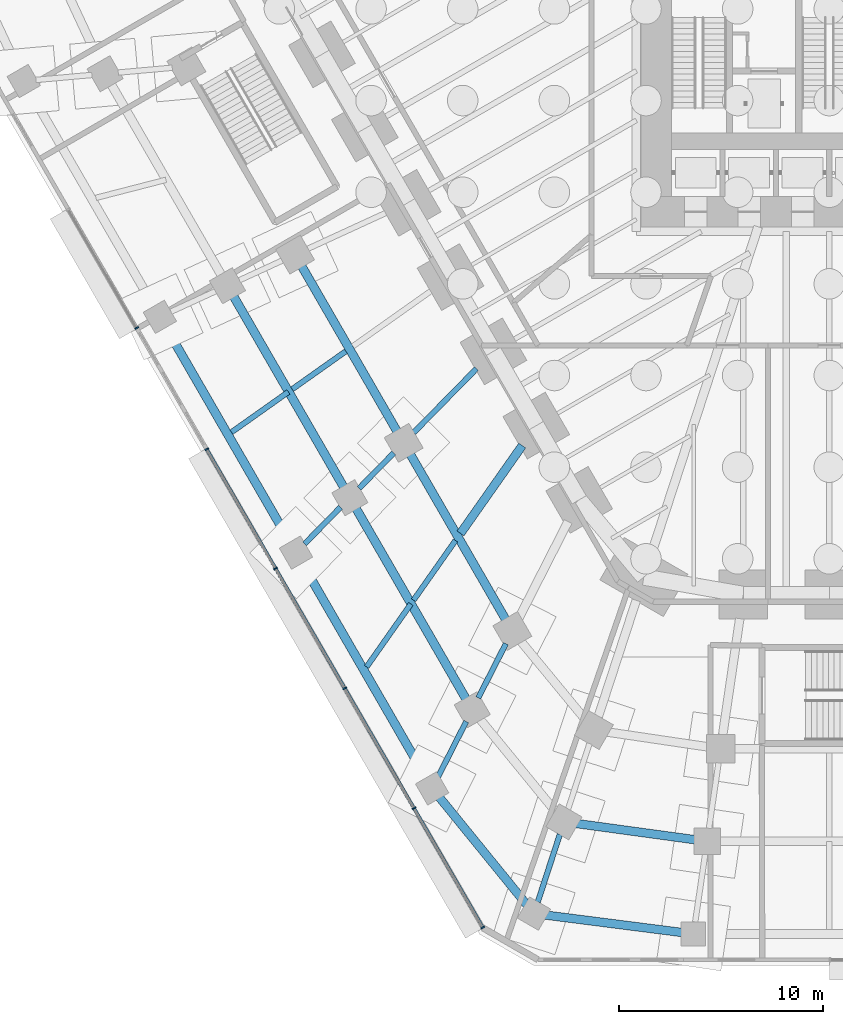
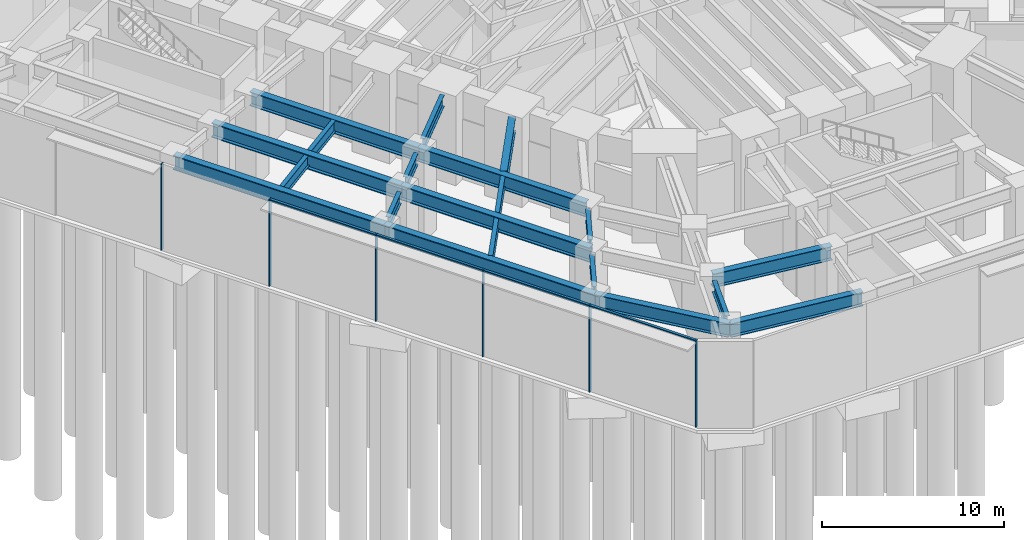
# One storey, part 3 of 34: 20 beams, 10 members, 2 elements without a shape of their own.
"""IFC4 building model written with IfcOpenShell, lengths in metres."""

from ifc_helpers import new_model, si_unit, direction, frame, origin, origin_2d, place, context, subcontext, project, spatial, rectangle, i_section, extrude, material, material_profile, profile_set, type_object, element, aggregate, save


model = new_model("IFC4")

# Units and contexts
model_context = context("Model", 3, precision=1e-05, world=origin(), true_north=direction((0.0, 1.0)))
body_context = subcontext(model_context, "Body", "Model", "MODEL_VIEW")
ifc_project = project(units=[si_unit("LENGTHUNIT", "METRE"), si_unit("AREAUNIT", "SQUARE_METRE"), si_unit("VOLUMEUNIT", "CUBIC_METRE"), si_unit("PLANEANGLEUNIT", "RADIAN"), si_unit("MASSUNIT", "GRAM", prefix="KILO")], contexts=[model_context])

# Site, building, storey
site_placement = place(None, origin())
site = spatial("IfcSite", under=ifc_project, at=site_placement, CompositionType="ELEMENT")
building_placement = place(site_placement, origin())
building = spatial("IfcBuilding", under=site, at=building_placement, Name="Sandreach Pilgrim Tower", CompositionType="ELEMENT")
storey_placement = place(building_placement, origin())
storey = spatial("IfcBuildingStorey", under=building, at=storey_placement, Name="L00", CompositionType="ELEMENT", Elevation=0.0)

# Curtain wall, members
ifc_material_1 = material(Name="Aluminium framed curtain wall", Category="aluminium")
curtain_wall_type = type_object("IfcCurtainWallType", Name="Podium storefront curtain wall", PredefinedType="NOTDEFINED", material=ifc_material_1)
curtain_wall_1_placement = place(storey_placement, origin())
curtain_wall_1 = element("IfcCurtainWall", 1, at=curtain_wall_1_placement, inside=storey, type_object=curtain_wall_type, Name="CW-P L00 SWA", PredefinedType="NOTDEFINED")
ifc_material_2 = material(Name="Aluminium extrusion", Category="aluminium")
ifc_material_profile_1 = material_profile(ifc_material_2, rectangle(XDim=0.070068359375, YDim=0.199951171875, at=origin_2d()), Name="CW-PM 70X200")
ifc_profile_set_1 = profile_set([ifc_material_profile_1], Name="Aluminium extrusion")
member_type_1 = type_object("IfcMemberType", Name="CW-P mullion", PredefinedType="MULLION", material=ifc_profile_set_1)
member_1_placement = place(storey_placement, frame((-17.01416015625, -45.1015625, 0.0), z_axis=(0.0, 0.0, 1.0), x_axis=(-0.5, 0.866025403784, 0.0)))
member_1 = element("IfcMember", 2, at=member_1_placement, type_object=member_type_1, Name="CW-P mullion 1", PredefinedType="MULLION", context=body_context, shape_type="SweptSolid", body=[
    extrude(rectangle(XDim=0.070068359375, YDim=0.199951171875, at=origin_2d()), origin(), (0.0, 0.0, 1.0), 5.840087890625),
])
member_2_placement = place(storey_placement, frame((-20.395263671875, -39.245361328125, 0.0), z_axis=(0.0, 0.0, 1.0), x_axis=(-0.5, 0.866025403784, 0.0)))
member_2 = element("IfcMember", 3, at=member_2_placement, type_object=member_type_1, Name="CW-P mullion 2", PredefinedType="MULLION", context=body_context, shape_type="SweptSolid", body=[
    extrude(rectangle(XDim=0.070068359375, YDim=0.199951171875, at=origin_2d()), origin(), (0.0, 0.0, 1.0), 5.840087890625),
])
member_3_placement = place(storey_placement, frame((-23.793701171875, -33.35888671875, 0.0), z_axis=(0.0, 0.0, 1.0), x_axis=(-0.5, 0.866025403784, 0.0)))
member_3 = element("IfcMember", 4, at=member_3_placement, type_object=member_type_1, Name="CW-P mullion 3", PredefinedType="MULLION", context=body_context, shape_type="SweptSolid", body=[
    extrude(rectangle(XDim=0.070068359375, YDim=0.199951171875, at=origin_2d()), origin(), (0.0, 0.0, 1.0), 5.840087890625),
])
member_4_placement = place(storey_placement, frame((-27.1923828125, -27.472412109375, 0.0), z_axis=(0.0, 0.0, 1.0), x_axis=(-0.5, 0.866025403784, 0.0)))
member_4 = element("IfcMember", 5, at=member_4_placement, type_object=member_type_1, Name="CW-P mullion 4", PredefinedType="MULLION", context=body_context, shape_type="SweptSolid", body=[
    extrude(rectangle(XDim=0.070068359375, YDim=0.199951171875, at=origin_2d()), origin(), (0.0, 0.0, 1.0), 5.840087890625),
])
member_5_placement = place(storey_placement, frame((-30.573486328125, -21.6162109375, 0.0), z_axis=(0.0, 0.0, 1.0), x_axis=(-0.5, 0.866025403784, 0.0)))
member_5 = element("IfcMember", 6, at=member_5_placement, type_object=member_type_1, Name="CW-P mullion 5", PredefinedType="MULLION", context=body_context, shape_type="SweptSolid", body=[
    extrude(rectangle(XDim=0.070068359375, YDim=0.199951171875, at=origin_2d()), origin(), (0.0, 0.0, 1.0), 5.840087890625),
])

# Curtain wall, member
curtain_wall_2_placement = place(storey_placement, origin())
curtain_wall_2 = element("IfcCurtainWall", 7, at=curtain_wall_2_placement, inside=storey, type_object=curtain_wall_type, Name="CW-P L00 SWB", PredefinedType="NOTDEFINED")
member_6_placement = place(storey_placement, frame((-34.007080078125, -15.669189453125, 0.0), z_axis=(0.0, 0.0, 1.0), x_axis=(-0.5, 0.866025403784, 0.0)))
member_6 = element("IfcMember", 8, at=member_6_placement, type_object=member_type_1, Name="CW-P mullion 1", PredefinedType="MULLION", context=body_context, shape_type="SweptSolid", body=[
    extrude(rectangle(XDim=0.070068359375, YDim=0.199951171875, at=origin_2d()), origin(), (0.0, 0.0, 1.0), 5.840087890625),
])
aggregate(curtain_wall_2, [member_6])

# Member
ifc_material_3 = material(Name="Aluminium extrusion", Category="aluminium")
ifc_material_profile_2 = material_profile(ifc_material_3, rectangle(XDim=0.159912109375, YDim=0.070068359375, at=origin_2d()), Name="CW-PT 160X70")
ifc_profile_set_2 = profile_set([ifc_material_profile_2], Name="Aluminium extrusion")
member_type_2 = type_object("IfcMemberType", Name="CW-P transom", PredefinedType="USERDEFINED", material=ifc_profile_set_2)
member_7_placement = place(storey_placement, frame((-17.03173828125, -45.0712890625, 5.804931640625), z_axis=(-0.499980353426, 0.866036746442, 0.0), x_axis=(-0.866036746442, -0.499980353426, 0.0)))
member_7 = element("IfcMember", 9, at=member_7_placement, type_object=member_type_2, Name="CW-P head transom 1", ObjectType="TRANSOM", PredefinedType="USERDEFINED", context=body_context, shape_type="SweptSolid", body=[
    extrude(rectangle(XDim=0.159912109375, YDim=0.070068359375, at=origin_2d()), origin(), (0.0, 0.0, 1.0), 6.692138671875),
])

member_8_placement = place(storey_placement, frame((-20.412841796875, -39.215087890625, 5.804931640625), z_axis=(-0.499991576468, 0.866030267058, 0.0), x_axis=(-0.866030267058, -0.499991576468, 0.0)))
member_8 = element("IfcMember", 10, at=member_8_placement, type_object=member_type_2, Name="CW-P head transom 2", ObjectType="TRANSOM", PredefinedType="USERDEFINED", context=body_context, shape_type="SweptSolid", body=[
    extrude(rectangle(XDim=0.159912109375, YDim=0.070068359375, at=origin_2d()), origin(), (0.0, 0.0, 1.0), 6.72705078125),
])

member_9_placement = place(storey_placement, frame((-23.811279296875, -33.32861328125, 5.804931640625), z_axis=(-0.499991576468, 0.866030267058, 0.0), x_axis=(-0.866030267058, -0.499991576468, 0.0)))
member_9 = element("IfcMember", 11, at=member_9_placement, type_object=member_type_2, Name="CW-P head transom 3", ObjectType="TRANSOM", PredefinedType="USERDEFINED", context=body_context, shape_type="SweptSolid", body=[
    extrude(rectangle(XDim=0.159912109375, YDim=0.070068359375, at=origin_2d()), origin(), (0.0, 0.0, 1.0), 6.72705078125),
])

member_10_placement = place(storey_placement, frame((-27.2099609375, -27.442138671875, 5.804931640625), z_axis=(-0.499996150425, 0.866027626326, 0.0), x_axis=(-0.866027626326, -0.499996150425, 0.0)))
member_10 = element("IfcMember", 12, at=member_10_placement, type_object=member_type_2, Name="CW-P head transom 4", ObjectType="TRANSOM", PredefinedType="USERDEFINED", context=body_context, shape_type="SweptSolid", body=[
    extrude(rectangle(XDim=0.159912109375, YDim=0.070068359375, at=origin_2d()), origin(), (0.0, 0.0, 1.0), 6.69189453125),
])

aggregate(curtain_wall_1, [member_1, member_2, member_3, member_4, member_5, member_7, member_8, member_9, member_10])

# Beams
ifc_material_4 = material(Name="Steel ASTM A992 Grade 50", Category="steel")
ifc_material_profile_3 = material_profile(ifc_material_4, i_section(OverallWidth=0.2666015625, OverallDepth=0.7568359375, WebThickness=0.013916015625, FlangeThickness=0.019287109375, at=origin_2d()), Name="W30X108")
ifc_profile_set_3 = profile_set([ifc_material_profile_3], Name="Steel ASTM A992 Grade 50")
beam_type_1 = type_object("IfcBeamType", Name="Podium beam W30X108", PredefinedType="BEAM", material=ifc_profile_set_3)
beam_1_placement = place(storey_placement, frame((-17.331787109375, -17.669921875, 5.46142578125), z_axis=(-0.700265324853, -0.713882675801, 0.0), x_axis=(0.713882675801, -0.700265324853, 0.0)))
element("IfcBeam", 13, at=beam_1_placement, inside=storey, type_object=beam_type_1, Name="BM L00 PR125-29", PredefinedType="BEAM", context=body_context, shape_type="SweptSolid", body=[
    extrude(i_section(OverallWidth=0.2666015625, OverallDepth=0.7568359375, WebThickness=0.013916015625, FlangeThickness=0.019287109375, at=origin_2d()), origin(), (0.0, 0.0, 1.0), 4.392578125),
])
beam_2_placement = place(storey_placement, frame((-15.880859375, -31.169189453125, 5.46142578125), z_axis=(-0.454000462541, -0.891001447817, 0.0), x_axis=(0.891001447817, -0.454000462541, 0.0)))
element("IfcBeam", 14, at=beam_2_placement, inside=storey, type_object=beam_type_1, Name="BM L00 PR140-27", PredefinedType="BEAM", context=body_context, shape_type="SweptSolid", body=[
    extrude(i_section(OverallWidth=0.2666015625, OverallDepth=0.7568359375, WebThickness=0.013916015625, FlangeThickness=0.019287109375, at=origin_2d()), origin(), (0.0, 0.0, 1.0), 2.9873046875),
])
beam_3_placement = place(storey_placement, frame((-18.3525390625, -26.09912109375, 5.46142578125), z_axis=(-0.575230165472, -0.817991599426, 0.0), x_axis=(0.817991599426, -0.575230165472, 0.0)))
element("IfcBeam", 15, at=beam_3_placement, inside=storey, type_object=beam_type_1, Name="BM L00 PR140-28", PredefinedType="BEAM", context=body_context, shape_type="SweptSolid", body=[
    extrude(i_section(OverallWidth=0.2666015625, OverallDepth=0.7568359375, WebThickness=0.013916015625, FlangeThickness=0.019287109375, at=origin_2d()), origin(), (0.0, 0.0, 1.0), 3.584228515625),
])
beam_4_placement = place(storey_placement, frame((-21.38818359375, -21.80517578125, 5.46142578125), z_axis=(-0.700229384967, -0.713917928356, 0.0), x_axis=(0.713917928356, -0.700229384967, 0.0)))
element("IfcBeam", 16, at=beam_4_placement, inside=storey, type_object=beam_type_1, Name="BM L00 PR140-29", PredefinedType="BEAM", context=body_context, shape_type="SweptSolid", body=[
    extrude(i_section(OverallWidth=0.2666015625, OverallDepth=0.7568359375, WebThickness=0.013916015625, FlangeThickness=0.019287109375, at=origin_2d()), origin(), (0.0, 0.0, 1.0), 2.425537109375),
])
beam_5_placement = place(storey_placement, frame((-23.73828125, -16.80810546875, 5.46142578125), z_axis=(-0.816164195975, -0.577820045696, 0.0), x_axis=(0.577820045696, -0.816164195975, 0.0)))
element("IfcBeam", 17, at=beam_5_placement, inside=storey, type_object=beam_type_1, Name="BM L00 PR140-30", PredefinedType="BEAM", context=body_context, shape_type="SweptSolid", body=[
    extrude(i_section(OverallWidth=0.2666015625, OverallDepth=0.7568359375, WebThickness=0.013916015625, FlangeThickness=0.019287109375, at=origin_2d()), origin(), (0.0, 0.0, 1.0), 3.2275390625),
])
beam_6_placement = place(storey_placement, frame((-13.23095703125, -40.532470703125, 5.37158203125), z_axis=(-0.310325680687, -0.950630302434, 0.0), x_axis=(0.950630302434, -0.310325680687, 0.0)))
element("IfcBeam", 18, at=beam_6_placement, inside=storey, type_object=beam_type_1, Name="BM L00 PR155-26", PredefinedType="BEAM", context=body_context, shape_type="SweptSolid", body=[
    extrude(i_section(OverallWidth=0.2666015625, OverallDepth=0.7568359375, WebThickness=0.013916015625, FlangeThickness=0.019287109375, at=origin_2d()), origin(), (0.0, 0.0, 1.0), 3.49072265625),
])
beam_7_placement = place(storey_placement, frame((-17.8271484375, -34.989013671875, 5.37158203125), z_axis=(-0.453938812923, -0.891032858049, 0.0), x_axis=(0.891032858049, -0.453938812923, 0.0)))
element("IfcBeam", 19, at=beam_7_placement, inside=storey, type_object=beam_type_1, Name="BM L00 PR155-27", PredefinedType="BEAM", context=body_context, shape_type="SweptSolid", body=[
    extrude(i_section(OverallWidth=0.2666015625, OverallDepth=0.7568359375, WebThickness=0.013916015625, FlangeThickness=0.019287109375, at=origin_2d()), origin(), (0.0, 0.0, 1.0), 3.087158203125),
])
beam_8_placement = place(storey_placement, frame((-20.5458984375, -29.218017578125, 5.37158203125), z_axis=(-0.575168649769, -0.818034855201, 0.0), x_axis=(0.818034855201, -0.575168649769, 0.0)))
element("IfcBeam", 20, at=beam_8_placement, inside=storey, type_object=beam_type_1, Name="BM L00 PR155-28", PredefinedType="BEAM", context=body_context, shape_type="SweptSolid", body=[
    extrude(i_section(OverallWidth=0.2666015625, OverallDepth=0.7568359375, WebThickness=0.013916015625, FlangeThickness=0.019287109375, at=origin_2d()), origin(), (0.0, 0.0, 1.0), 3.78076171875),
])
beam_9_placement = place(storey_placement, frame((-23.996826171875, -24.46484375, 5.37158203125), z_axis=(-0.700258884848, -0.713888992905, 0.0), x_axis=(0.713888992905, -0.700258884848, 0.0)))
element("IfcBeam", 21, at=beam_9_placement, inside=storey, type_object=beam_type_1, Name="BM L00 PR155-29", PredefinedType="BEAM", context=body_context, shape_type="SweptSolid", body=[
    extrude(i_section(OverallWidth=0.2666015625, OverallDepth=0.7568359375, WebThickness=0.013916015625, FlangeThickness=0.019287109375, at=origin_2d()), origin(), (0.0, 0.0, 1.0), 2.525634765625),
])
beam_10_placement = place(storey_placement, frame((-26.559326171875, -18.805419921875, 5.37158203125), z_axis=(-0.8161449794, -0.577847187931, 0.0), x_axis=(0.577847187931, -0.8161449794, 0.0)))
element("IfcBeam", 22, at=beam_10_placement, inside=storey, type_object=beam_type_1, Name="BM L00 PR155-30", PredefinedType="BEAM", context=body_context, shape_type="SweptSolid", body=[
    extrude(i_section(OverallWidth=0.2666015625, OverallDepth=0.7568359375, WebThickness=0.013916015625, FlangeThickness=0.019287109375, at=origin_2d()), origin(), (0.0, 0.0, 1.0), 3.423828125),
])
ifc_material_5 = material(Name="Steel ASTM A992 Grade 50", Category="steel")
ifc_material_profile_4 = material_profile(ifc_material_5, i_section(OverallWidth=0.419189453125, OverallDepth=0.927001953125, WebThickness=0.019287109375, FlangeThickness=0.031982421875, at=origin_2d()), Name="W36X231")
ifc_profile_set_4 = profile_set([ifc_material_profile_4], Name="Steel ASTM A992 Grade 50")
beam_type_2 = type_object("IfcBeamType", Name="Podium beam W36X231", PredefinedType="BEAM", material=ifc_profile_set_4)
beam_11_placement = place(storey_placement, frame((-15.076904296875, -21.440673828125, 5.37646484375), z_axis=(-0.575223731199, -0.817996124114, 0.0), x_axis=(0.817996124114, -0.575223731199, 0.0)))
element("IfcBeam", 23, at=beam_11_placement, inside=storey, type_object=beam_type_2, Name="BM L00 PR125-28", PredefinedType="BEAM", context=body_context, shape_type="SweptSolid", body=[
    extrude(i_section(OverallWidth=0.419189453125, OverallDepth=0.927001953125, WebThickness=0.019287109375, FlangeThickness=0.031982421875, at=origin_2d()), origin(), (0.0, 0.0, 1.0), 5.2705078125),
])
ifc_material_6 = material(Name="Steel ASTM A992 Grade 50", Category="steel")
ifc_material_profile_5 = material_profile(ifc_material_6, i_section(OverallWidth=0.419189453125, OverallDepth=0.927001953125, WebThickness=0.019287109375, FlangeThickness=0.031982421875, at=origin_2d()), Name="W36X231")
ifc_profile_set_5 = profile_set([ifc_material_profile_5], Name="Steel ASTM A992 Grade 50")
beam_type_3 = type_object("IfcBeamType", Name="Podium edge beam W36X231", PredefinedType="BEAM", material=ifc_profile_set_5)
beam_12_placement = place(storey_placement, frame((-6.0029296875, -40.875244140625, 5.37646484375), z_axis=(-0.990781922529, 0.135466534578, 0.0), x_axis=(-0.135466534578, -0.990781922529, 0.0)))
element("IfcBeam", 24, at=beam_12_placement, inside=storey, type_object=beam_type_3, Name="BM L00 PE140-25", PredefinedType="BEAM", context=body_context, shape_type="SweptSolid", body=[
    extrude(i_section(OverallWidth=0.419189453125, OverallDepth=0.927001953125, WebThickness=0.019287109375, FlangeThickness=0.031982421875, at=origin_2d()), origin(), (0.0, 0.0, 1.0), 7.091796875),
])
beam_13_placement = place(storey_placement, frame((-6.670654296875, -45.421875, 5.286376953125), z_axis=(-0.9919343967, 0.12675232796, 0.0), x_axis=(-0.12675232796, -0.9919343967, 0.0)))
element("IfcBeam", 25, at=beam_13_placement, inside=storey, type_object=beam_type_3, Name="BM L00 PE155-25", PredefinedType="BEAM", context=body_context, shape_type="SweptSolid", body=[
    extrude(i_section(OverallWidth=0.419189453125, OverallDepth=0.927001953125, WebThickness=0.019287109375, FlangeThickness=0.031982421875, at=origin_2d()), origin(), (0.0, 0.0, 1.0), 7.893310546875),
])
beam_14_placement = place(storey_placement, frame((-14.500244140625, -44.42138671875, 5.286376953125), z_axis=(-0.63107269894, 0.775723693497, 0.0), x_axis=(-0.775723693497, -0.63107269894, 0.0)))
element("IfcBeam", 26, at=beam_14_placement, inside=storey, type_object=beam_type_3, Name="BM L00 PE155-26", PredefinedType="BEAM", context=body_context, shape_type="SweptSolid", body=[
    extrude(i_section(OverallWidth=0.419189453125, OverallDepth=0.927001953125, WebThickness=0.019287109375, FlangeThickness=0.031982421875, at=origin_2d()), origin(), (0.0, 0.0, 1.0), 7.924072265625),
])
ifc_material_7 = material(Name="Steel ASTM A992 Grade 50", Category="steel")
ifc_material_profile_6 = material_profile(ifc_material_7, i_section(OverallWidth=0.424072265625, OverallDepth=0.947509765625, WebThickness=0.02392578125, FlangeThickness=0.042724609375, at=origin_2d()), Name="W36X302")
ifc_profile_set_6 = profile_set([ifc_material_profile_6], Name="Steel ASTM A992 Grade 50")
beam_type_4 = type_object("IfcBeamType", Name="Podium edge beam W36X302", PredefinedType="BEAM", material=ifc_profile_set_6)
beam_15_placement = place(storey_placement, frame((-15.563232421875, -30.545654296875, 5.3662109375), z_axis=(-0.499990509939, 0.866030882805, 0.0), x_axis=(-0.866030882805, -0.499990509939, 0.0)))
element("IfcBeam", 27, at=beam_15_placement, inside=storey, type_object=beam_type_4, Name="BM L00 PE125-27", PredefinedType="BEAM", context=body_context, shape_type="SweptSolid", body=[
    extrude(i_section(OverallWidth=0.424072265625, OverallDepth=0.947509765625, WebThickness=0.02392578125, FlangeThickness=0.042724609375, at=origin_2d()), origin(), (0.0, 0.0, 1.0), 10.669677734375),
])
beam_16_placement = place(storey_placement, frame((-20.89794921875, -21.305419921875, 5.3662109375), z_axis=(-0.500000418093, 0.866025162398, 0.0), x_axis=(-0.866025162398, -0.500000418093, 0.0)))
element("IfcBeam", 28, at=beam_16_placement, inside=storey, type_object=beam_type_4, Name="BM L00 PE125-29", PredefinedType="BEAM", context=body_context, shape_type="SweptSolid", body=[
    extrude(i_section(OverallWidth=0.424072265625, OverallDepth=0.947509765625, WebThickness=0.02392578125, FlangeThickness=0.042724609375, at=origin_2d()), origin(), (0.0, 0.0, 1.0), 10.66943359375),
])
ifc_material_8 = material(Name="Steel ASTM A992 Grade 50", Category="steel")
ifc_material_profile_7 = material_profile(ifc_material_8, i_section(OverallWidth=0.4267578125, OverallDepth=0.975341796875, WebThickness=0.031005859375, FlangeThickness=0.055908203125, at=origin_2d()), Name="W36X395")
ifc_profile_set_7 = profile_set([ifc_material_profile_7], Name="Steel ASTM A992 Grade 50")
beam_type_5 = type_object("IfcBeamType", Name="Podium edge beam W36X395", PredefinedType="BEAM", material=ifc_profile_set_7)
beam_17_placement = place(storey_placement, frame((-17.531982421875, -34.409912109375, 5.352294921875), z_axis=(-0.500010226345, 0.866019499521, 0.0), x_axis=(-0.866019499521, -0.500010226345, 0.0)))
element("IfcBeam", 29, at=beam_17_placement, inside=storey, type_object=beam_type_5, Name="BM L00 PE140-27", PredefinedType="BEAM", context=body_context, shape_type="SweptSolid", body=[
    extrude(i_section(OverallWidth=0.4267578125, OverallDepth=0.975341796875, WebThickness=0.031005859375, FlangeThickness=0.055908203125, at=origin_2d()), origin(), (0.0, 0.0, 1.0), 12.019287109375),
])
beam_18_placement = place(storey_placement, frame((-23.541748046875, -24.0009765625, 5.352294921875), z_axis=(-0.500001430823, 0.866024577697, 0.0), x_axis=(-0.866024577697, -0.500001430823, 0.0)))
element("IfcBeam", 30, at=beam_18_placement, inside=storey, type_object=beam_type_5, Name="BM L00 PE140-29", PredefinedType="BEAM", context=body_context, shape_type="SweptSolid", body=[
    extrude(i_section(OverallWidth=0.4267578125, OverallDepth=0.975341796875, WebThickness=0.031005859375, FlangeThickness=0.055908203125, at=origin_2d()), origin(), (0.0, 0.0, 1.0), 12.01953125),
])
for number, where, z_axis, x_axis, name in (
    (31, (-19.5009765625, -38.2744140625, 5.26220703125), (-0.499996450449, 0.866027453109, 0.0), (-0.866027453109, -0.499996450449, 0.0), "BM L00 PE155-27"),
    (32, (-26.185546875, -26.6962890625, 5.26220703125), (-0.499996450449, 0.866027453109, 0.0), (-0.866027453109, -0.499996450449, 0.0), "BM L00 PE155-29"),
):
    element("IfcBeam", number, at=place(storey_placement, frame(where, z_axis=z_axis, x_axis=x_axis)), inside=storey, type_object=beam_type_5, Name=name, PredefinedType="BEAM", context=body_context, shape_type="SweptSolid", body=[
        extrude(i_section(OverallWidth=0.4267578125, OverallDepth=0.975341796875, WebThickness=0.031005859375, FlangeThickness=0.055908203125, at=origin_2d()), origin(), (0.0, 0.0, 1.0), 13.369140625),
    ])

save(model, "model.ifc")
